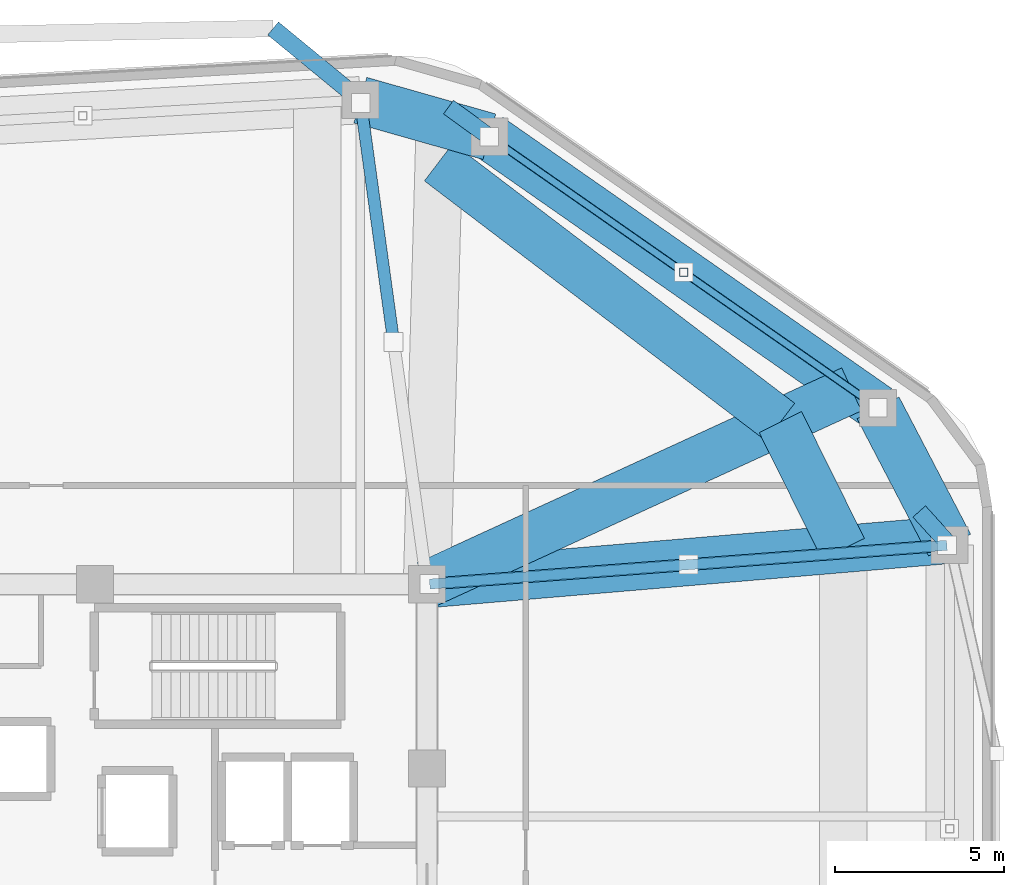
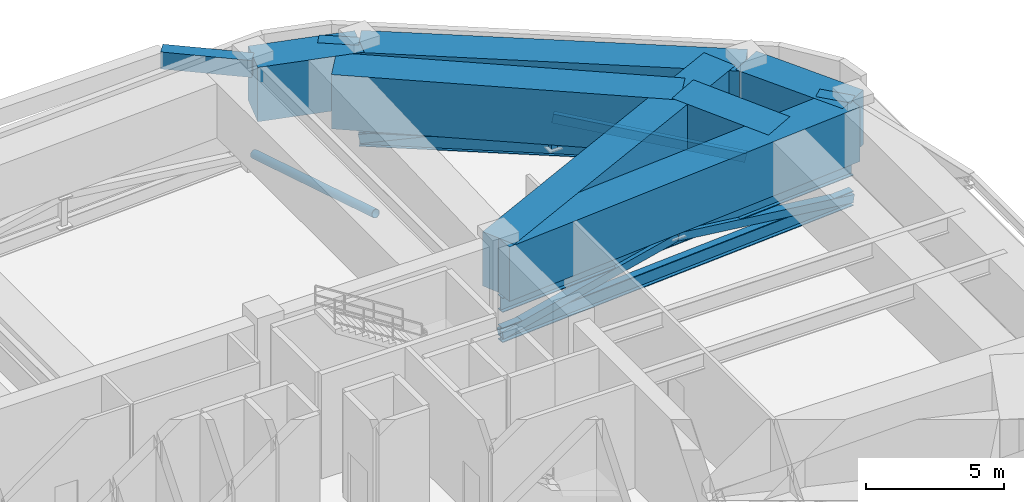
# One storey, part 6 of 12: 10 beams, 9 members.
"""IFC4 building model written with IfcOpenShell, lengths in metres."""

from ifc_helpers import new_model, si_unit, direction, frame, origin, origin_2d, place, context, subcontext, project, spatial, rectangle, hollow_rectangle, hollow_circle, i_section, extrude, material, material_profile, profile_set, type_object, element, save


model = new_model("IFC4")

# Units and contexts
model_context = context("Model", 3, precision=1e-05, world=origin(), true_north=direction((0.0, 1.0)))
body_context = subcontext(model_context, "Body", "Model", "MODEL_VIEW")
ifc_project = project(units=[si_unit("LENGTHUNIT", "METRE"), si_unit("AREAUNIT", "SQUARE_METRE"), si_unit("VOLUMEUNIT", "CUBIC_METRE"), si_unit("PLANEANGLEUNIT", "RADIAN"), si_unit("MASSUNIT", "GRAM", prefix="KILO")], contexts=[model_context])

# Site, building, storey
site_placement = place(None, origin())
site = spatial("IfcSite", under=ifc_project, at=site_placement, CompositionType="ELEMENT")
building_placement = place(site_placement, origin())
building = spatial("IfcBuilding", under=site, at=building_placement, Name="Zulverin Broadcast Headquarters", CompositionType="ELEMENT")
storey_placement = place(building_placement, frame((0.0, 0.0, 120.0)))
storey = spatial("IfcBuildingStorey", under=building, at=storey_placement, Name="L30", CompositionType="ELEMENT", Elevation=120.0)

# Beams
ifc_material_1 = material(Name="Concrete C40/50", Category="concrete")
ifc_material_profile_1 = material_profile(ifc_material_1, rectangle(XDim=0.5, YDim=0.75, at=origin_2d()), Name="Concrete C40/50", Category="concrete")
ifc_profile_set_1 = profile_set([ifc_material_profile_1], Name="Concrete C40/50")
beam_type_1 = type_object("IfcBeamType", Name="BM-RC-500x750", PredefinedType="BEAM", material=ifc_profile_set_1)
beam_1_placement = place(storey_placement, frame((63.75, 34.235107421875, 4.22509765625), z_axis=(-0.670822776778, 0.741617692721, 0.0), x_axis=(-0.741617692721, -0.670822776778, 0.0)))
element("IfcBeam", 1, at=beam_1_placement, inside=storey, type_object=beam_type_1, Name="L31 Plate Overhang Back-Spanned Beam OVR-06", PredefinedType="BEAM", context=body_context, shape_type="SweptSolid", body=[
    extrude(rectangle(XDim=0.5, YDim=0.75, at=origin_2d()), origin(), (0.0, 0.0, 1.0), 1.341552734375),
])
beam_2_placement = place(storey_placement, frame((50.121826171875, 46.325927734375, 4.22509765625), z_axis=(-0.809181110452, 0.58755929955, 0.0), x_axis=(-0.58755929955, -0.809181110452, 0.0)))
element("IfcBeam", 2, at=beam_2_placement, inside=storey, type_object=beam_type_1, Name="L31 Plate Overhang Back-Spanned Beam OVR-08", PredefinedType="BEAM", context=body_context, shape_type="SweptSolid", body=[
    extrude(rectangle(XDim=0.5, YDim=0.75, at=origin_2d()), origin(), (0.0, 0.0, 1.0), 1.493896484375),
])
beam_3_placement = place(storey_placement, frame((46.30224609375, 47.4091796875, 4.22509765625), z_axis=(-0.772625214753, 0.634862408343, 0.0), x_axis=(-0.634862408343, -0.772625214753, 0.0)))
element("IfcBeam", 3, at=beam_3_placement, inside=storey, type_object=beam_type_1, Name="L31 Balcony Column-Framed Cantilever BAL_N-1", PredefinedType="BEAM", context=body_context, shape_type="SweptSolid", body=[
    extrude(rectangle(XDim=0.5, YDim=0.75, at=origin_2d()), origin(), (0.0, 0.0, 1.0), 3.343994140625),
])
ifc_material_2 = material(Name="Concrete C60/75", Category="concrete")
ifc_material_profile_2 = material_profile(ifc_material_2, rectangle(XDim=1.39990234375, YDim=2.39990234375, at=origin_2d()), Name="Concrete C60/75", Category="concrete")
ifc_profile_set_2 = profile_set([ifc_material_profile_2], Name="Concrete C60/75")
beam_type_2 = type_object("IfcBeamType", Name="BM-TG-1400x2400", PredefinedType="USERDEFINED", material=ifc_profile_set_2)
beam_4_placement = place(storey_placement, frame((63.75, 34.235107421875, 3.39990234375), z_axis=(-0.462531417359, 0.886602891917, 0.0), x_axis=(-0.886602891917, -0.462531417359, 0.0)))
element("IfcBeam", 4, at=beam_4_placement, inside=storey, type_object=beam_type_2, Name="L30 Perimeter Transfer Ring Girder SP-06", ObjectType="TRANSFER GIRDER", PredefinedType="USERDEFINED", context=body_context, shape_type="SweptSolid", body=[
    extrude(rectangle(XDim=1.39990234375, YDim=2.39990234375, at=origin_2d()), origin(), (0.0, 0.0, 1.0), 4.583251953125),
])
beam_5_placement = place(storey_placement, frame((61.630126953125, 38.298583984375, 3.39990234375), z_axis=(-0.820183915206, 0.5720999434, 0.0), x_axis=(-0.5720999434, -0.820183915206, 0.0)))
element("IfcBeam", 5, at=beam_5_placement, inside=storey, type_object=beam_type_2, Name="L30 Perimeter Transfer Ring Girder SP-07", ObjectType="TRANSFER GIRDER", PredefinedType="USERDEFINED", context=body_context, shape_type="SweptSolid", body=[
    extrude(rectangle(XDim=1.39990234375, YDim=2.39990234375, at=origin_2d()), origin(), (0.0, 0.0, 1.0), 14.03125),
])
beam_6_placement = place(storey_placement, frame((50.121826171875, 46.325927734375, 3.39990234375), z_axis=(-0.962058150721, 0.272844487999, 0.0), x_axis=(-0.272844487999, -0.962058150721, 0.0)))
element("IfcBeam", 6, at=beam_6_placement, inside=storey, type_object=beam_type_2, Name="L30 Perimeter Transfer Ring Girder SP-08", ObjectType="TRANSFER GIRDER", PredefinedType="USERDEFINED", context=body_context, shape_type="SweptSolid", body=[
    extrude(rectangle(XDim=1.39990234375, YDim=2.39990234375, at=origin_2d()), origin(), (0.0, 0.0, 1.0), 3.97021484375),
])
beam_7_placement = place(storey_placement, frame((48.27490234375, 33.074951171875, 3.39990234375), z_axis=(0.996414999623, 0.084599932187, 0.0), x_axis=(-0.084599932187, 0.996414999623, 0.0)))
element("IfcBeam", 7, at=beam_7_placement, inside=storey, type_object=beam_type_2, Name="L31 Step Transfer Girder TG-06", ObjectType="TRANSFER GIRDER", PredefinedType="USERDEFINED", context=body_context, shape_type="SweptSolid", body=[
    extrude(rectangle(XDim=1.39990234375, YDim=2.39990234375, at=origin_2d()), origin(), (0.0, 0.0, 1.0), 15.45361328125),
])
beam_8_placement = place(storey_placement, frame((60.60009765625, 34.12158203125, 3.39990234375), z_axis=(-0.444159471033, 0.895947746407, 0.0), x_axis=(-0.895947746407, -0.444159471033, 0.0)))
element("IfcBeam", 8, at=beam_8_placement, inside=storey, type_object=beam_type_2, Name="L31 Step Transfer Ring Girder TGR-06", ObjectType="TRANSFER GIRDER", PredefinedType="USERDEFINED", context=body_context, shape_type="SweptSolid", body=[
    extrude(rectangle(XDim=1.39990234375, YDim=2.39990234375, at=origin_2d()), origin(), (0.0, 0.0, 1.0), 4.1923828125),
])
beam_9_placement = place(storey_placement, frame((48.27490234375, 33.074951171875, 3.39990234375), z_axis=(0.908827351717, 0.417172440091, 0.0), x_axis=(-0.417172440091, 0.908827351717, 0.0)))
element("IfcBeam", 9, at=beam_9_placement, inside=storey, type_object=beam_type_2, Name="L31 Step Transfer Girder TG-07", ObjectType="TRANSFER GIRDER", PredefinedType="USERDEFINED", context=body_context, shape_type="SweptSolid", body=[
    extrude(rectangle(XDim=1.39990234375, YDim=2.39990234375, at=origin_2d()), origin(), (0.0, 0.0, 1.0), 13.83251953125),
])
beam_10_placement = place(storey_placement, frame((58.738037109375, 37.877685546875, 3.39990234375), z_axis=(-0.795830102505, 0.60551998146, 0.0), x_axis=(-0.60551998146, -0.795830102505, 0.0)))
element("IfcBeam", 10, at=beam_10_placement, inside=storey, type_object=beam_type_2, Name="L31 Step Transfer Ring Girder TGR-07", ObjectType="TRANSFER GIRDER", PredefinedType="USERDEFINED", context=body_context, shape_type="SweptSolid", body=[
    extrude(rectangle(XDim=1.39990234375, YDim=2.39990234375, at=origin_2d()), origin(), (0.0, 0.0, 1.0), 12.7119140625),
])

# Members
ifc_material_3 = material(Name="Structural steel S355JR", Category="steel")
ifc_material_profile_3 = material_profile(ifc_material_3, i_section(OverallWidth=0.230224609375, OverallDepth=0.6171875, WebThickness=0.01318359375, FlangeThickness=0.022216796875, at=origin_2d()), Name="Structural steel S355JR", Category="steel")
ifc_profile_set_3 = profile_set([ifc_material_profile_3], Name="Structural steel S355JR")
member_type_1 = type_object("IfcMemberType", Name="MBR-BLT-CHORD", PredefinedType="CHORD", material=ifc_profile_set_3)
member_1_placement = place(storey_placement, frame((61.630126953125, 38.298583984375, 0.35009765625), z_axis=(-0.820183915206, 0.5720999434, 0.0), x_axis=(-0.5720999434, -0.820183915206, 0.0)))
element("IfcMember", 11, at=member_1_placement, inside=storey, type_object=member_type_1, Name="L30 Belt Truss Bottom Chord BC-04", PredefinedType="CHORD", context=body_context, shape_type="SweptSolid", body=[
    extrude(i_section(OverallWidth=0.230224609375, OverallDepth=0.6171875, WebThickness=0.01318359375, FlangeThickness=0.022216796875, at=origin_2d()), origin(), (0.0, 0.0, 1.0), 14.03125),
])
ifc_material_profile_4 = material_profile(ifc_material_3, hollow_rectangle(XDim=0.199951171875, YDim=0.39990234375, WallThickness=0.01611328125, at=origin_2d()), Name="Structural steel S355JR", Category="steel")
ifc_profile_set_4 = profile_set([ifc_material_profile_4], Name="Structural steel S355JR")
member_type_2 = type_object("IfcMemberType", Name="MBR-BLT-DIAG2", PredefinedType="BRACE", material=ifc_profile_set_4)
for number, where, z_axis, x_axis, name in (
    (12, (61.630126953125, 38.298583984375, 0.35009765625), (-0.805834918792, 0.562091139418, 0.186235428005), (-0.5720999434, -0.820183915206, 0.0), "L30 Belt Truss Diagonal Brace BD-04A"),
    (13, (50.121826171875, 46.325927734375, 0.35009765625), (0.805834918792, -0.562091139418, 0.186235428005), (0.5720999434, 0.820183915206, 0.0), "L30 Belt Truss Diagonal Brace BD-04B"),
):
    element("IfcMember", number, at=place(storey_placement, frame(where, z_axis=z_axis, x_axis=x_axis)), inside=storey, type_object=member_type_2, Name=name, PredefinedType="BRACE", context=body_context, shape_type="SweptSolid", body=[
        extrude(hollow_rectangle(XDim=0.199951171875, YDim=0.39990234375, WallThickness=0.01611328125, at=origin_2d()), origin(), (0.0, 0.0, 1.0), 7.140625),
    ])
ifc_material_profile_5 = material_profile(ifc_material_3, hollow_rectangle(XDim=0.25, YDim=0.25, WallThickness=0.01611328125, at=origin_2d()), Name="Structural steel S355JR", Category="steel")
ifc_profile_set_5 = profile_set([ifc_material_profile_5], Name="Structural steel S355JR")
member_type_3 = type_object("IfcMemberType", Name="MBR-BLT-POST", PredefinedType="POST", material=ifc_profile_set_5)
member_2_placement = place(storey_placement, frame((55.8759765625, 42.312255859375, 0.35009765625), z_axis=(0.0, 0.0, 1.0), x_axis=(1.0, 0.0, 0.0)))
element("IfcMember", 14, at=member_2_placement, inside=storey, type_object=member_type_3, Name="L30 Belt Truss King Post BP-04", PredefinedType="POST", context=body_context, shape_type="SweptSolid", body=[
    extrude(hollow_rectangle(XDim=0.25, YDim=0.25, WallThickness=0.01611328125, at=origin_2d()), origin(), (0.0, 0.0, 1.0), 1.329833984375),
])
ifc_material_4 = material(Name="Structural steel S460M", Category="steel")
ifc_material_profile_6 = material_profile(ifc_material_4, i_section(OverallWidth=0.300048828125, OverallDepth=0.64990234375, WebThickness=0.01611328125, FlangeThickness=0.031005859375, at=origin_2d()), Name="Structural steel S460M", Category="steel")
ifc_profile_set_6 = profile_set([ifc_material_profile_6], Name="Structural steel S460M")
member_type_4 = type_object("IfcMemberType", Name="MBR-OUT-CHORD", PredefinedType="CHORD", material=ifc_profile_set_6)
for number, where, z_axis, x_axis, name in (
    (15, (48.354736328125, 33.0810546875, 0.35009765625), (0.997201561977, 0.074759914334, 0.0), (-0.074759914334, 0.997201561977, 0.0), "L30 Outrigger Truss Bottom Chord OC-03"),
    (16, (48.354736328125, 33.0810546875, 1.679931640625), (0.997201561977, 0.074759914334, 0.0), (-0.074759914334, 0.997201561977, 0.0), "L30 Outrigger Truss Upper Chord OTC-03"),
):
    element("IfcMember", number, at=place(storey_placement, frame(where, z_axis=z_axis, x_axis=x_axis)), inside=storey, type_object=member_type_4, Name=name, PredefinedType="CHORD", context=body_context, shape_type="SweptSolid", body=[
        extrude(i_section(OverallWidth=0.300048828125, OverallDepth=0.64990234375, WebThickness=0.01611328125, FlangeThickness=0.031005859375, at=origin_2d()), origin(), (0.0, 0.0, 1.0), 15.3583984375),
    ])
ifc_material_profile_7 = material_profile(ifc_material_4, hollow_rectangle(XDim=0.35009765625, YDim=0.35009765625, WallThickness=0.02001953125, at=origin_2d()), Name="Structural steel S460M", Category="steel")
ifc_profile_set_7 = profile_set([ifc_material_profile_7], Name="Structural steel S460M")
member_type_5 = type_object("IfcMemberType", Name="MBR-OUT-DIAG1", PredefinedType="BRACE", material=ifc_profile_set_7)
for number, where, z_axis, x_axis, name in (
    (17, (48.354736328125, 33.0810546875, 0.35009765625), (0.982578262755, 0.073647946685, 0.170633928369), (-0.074744106932, 0.997202746927, 0.0), "L30 Outrigger Truss Diagonal Brace OD-03A"),
    (18, (63.670166015625, 34.229248046875, 0.35009765625), (-0.982575995363, -0.073679102885, 0.170633534615), (0.074775721679, -0.997200376779, 0.0), "L30 Outrigger Truss Diagonal Brace OD-03B"),
):
    element("IfcMember", number, at=place(storey_placement, frame(where, z_axis=z_axis, x_axis=x_axis)), inside=storey, type_object=member_type_5, Name=name, PredefinedType="BRACE", context=body_context, shape_type="SweptSolid", body=[
        extrude(hollow_rectangle(XDim=0.35009765625, YDim=0.35009765625, WallThickness=0.02001953125, at=origin_2d()), origin(), (0.0, 0.0, 1.0), 7.79345703125),
    ])
ifc_material_profile_8 = material_profile(ifc_material_4, hollow_circle(Radius=0.177734375, WallThickness=0.01611328125, at=origin_2d()), Name="Structural steel S460M", Category="steel")
ifc_profile_set_8 = profile_set([ifc_material_profile_8], Name="Structural steel S460M")
member_type_6 = type_object("IfcMemberType", Name="MBR-OUT-DIAG2", PredefinedType="BRACE", material=ifc_profile_set_8)
member_3_placement = place(storey_placement, frame((46.31298828125, 47.330078125, 0.35009765625), z_axis=(0.134059631839, -0.973978786674, 0.182738442099), x_axis=(0.990659950417, 0.136355647626, 0.0)))
element("IfcMember", 19, at=member_3_placement, inside=storey, type_object=member_type_6, Name="L30 Outrigger Truss Diagonal Brace OD-04B", PredefinedType="BRACE", context=body_context, shape_type="SweptSolid", body=[
    extrude(hollow_circle(Radius=0.177734375, WallThickness=0.01611328125, at=origin_2d()), origin(), (0.0, 0.0, 1.0), 7.27734375),
])

save(model, "model.ifc")
